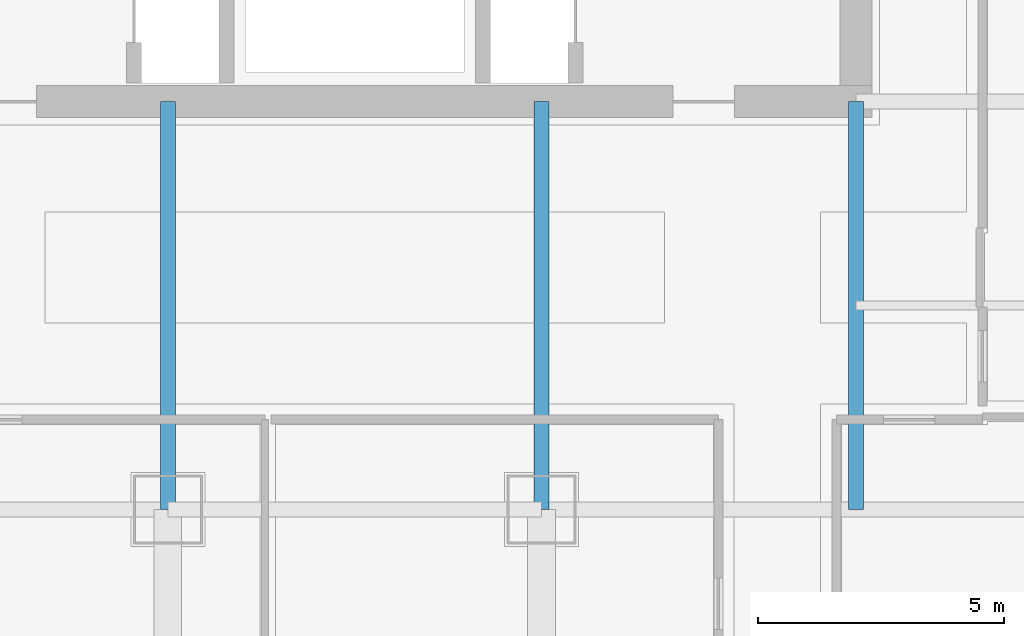
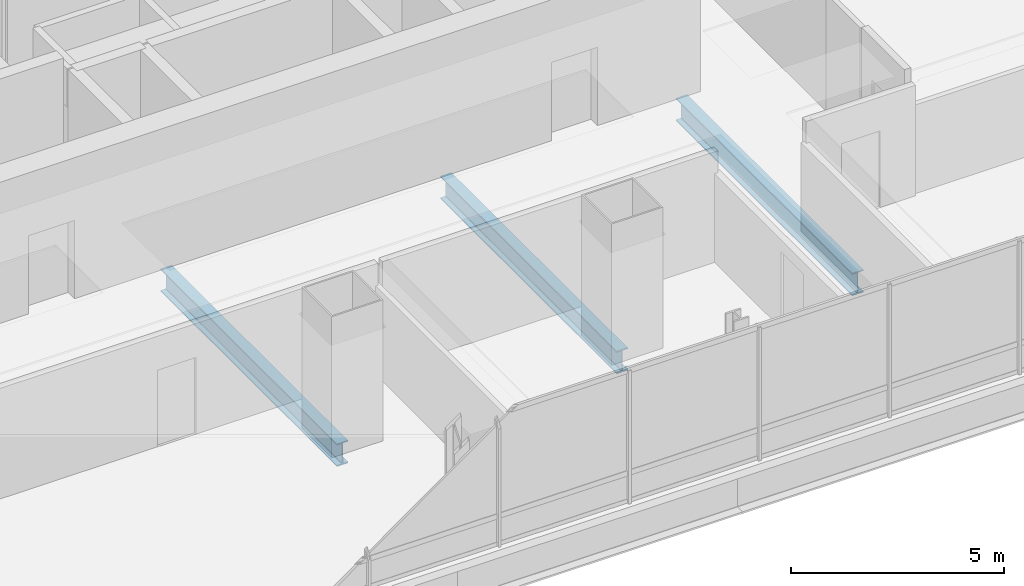
# One storey, part 8 of 36: 3 beams.
"""IFC4 building model written with IfcOpenShell, lengths in metres."""

import ifcopenshell
import ifcopenshell.guid

model = None  # the IFC model being written
_history = None  # IfcOwnerHistory: only IFC2X3 demands one
_inside = {}  # id of a spatial element -> (the spatial element, [elements in it])
_under = {}  # id of a project, library or spatial element -> (it, [spatial elements below it])
_declared = {}  # id of a project -> (the project, [libraries it declares])
_typed = {}  # id of a type object -> (the type object, [elements of that type])
_made_of = {}  # id of a material, layer set ... -> (it, [elements and type objects made of it])


def new_model(schema):
    """Start an empty IFC model of exactly this schema.

    Asked for "IFC4X3", IfcOpenShell would pick the latest addendum, in which some entities
    have other attributes; the version numbers below select the first issue.
    IFC2X3 requires an IfcOwnerHistory on every rooted entity: one is made here for all.
    """
    global model, _history
    if schema == "IFC4X3":
        model = ifcopenshell.file(schema_version=(4, 3, 0, 0))
    else:
        model = ifcopenshell.file(schema=schema)
    _inside.clear()
    _under.clear()
    _declared.clear()
    _typed.clear()
    _made_of.clear()
    _history = None
    if model.schema == "IFC2X3":
        org = make("IfcOrganization", Name="unknown")
        user = make(
            "IfcPersonAndOrganization",
            ThePerson=make("IfcPerson", FamilyName="unknown"),
            TheOrganization=org,
        )
        app = make(
            "IfcApplication",
            ApplicationDeveloper=org,
            Version="unknown",
            ApplicationFullName="unknown",
            ApplicationIdentifier="unknown",
        )
        _history = make(
            "IfcOwnerHistory",
            OwningUser=user,
            OwningApplication=app,
            ChangeAction="ADDED",
            CreationDate=0,
        )
    return model


def make(cls, **values):
    """One entity of the class cls with the attributes given. An attribute that is None is left unset."""
    return model.create_entity(
        cls, **{name: value for name, value in values.items() if value is not None}
    )


def rooted(cls, **values):
    """An entity with a GlobalId (a new one), such as an element, a storey or a relation."""
    return make(cls, GlobalId=ifcopenshell.guid.new(), OwnerHistory=_history, **values)


def si_unit(unit_type, name, prefix=None):
    """IfcSIUnit, for example si_unit("LENGTHUNIT", "METRE", prefix="MILLI")."""
    return make("IfcSIUnit", UnitType=unit_type, Prefix=prefix, Name=name)


def assignment(units):
    """IfcUnitAssignment: the units of a project."""
    return None if units is None else make("IfcUnitAssignment", Units=units)


def point(xyz):
    """IfcCartesianPoint."""
    return None if xyz is None else make("IfcCartesianPoint", Coordinates=xyz)


def direction(xyz):
    """IfcDirection."""
    return None if xyz is None else make("IfcDirection", DirectionRatios=xyz)


def frame(location, z_axis=None, x_axis=None):
    """IfcAxis2Placement3D, a coordinate frame: its origin and axes. An axis left out is left unset."""
    return make(
        "IfcAxis2Placement3D",
        Location=point(location),
        Axis=direction(z_axis),
        RefDirection=direction(x_axis),
    )


def frame_2d(location, x_axis=None):
    """IfcAxis2Placement2D, a coordinate frame in the plane: its origin and x axis."""
    return make(
        "IfcAxis2Placement2D", Location=point(location), RefDirection=direction(x_axis)
    )


def origin():
    """The frame at (0, 0, 0) with its axes left unset."""
    return frame((0.0, 0.0, 0.0))


def origin_2d():
    """The frame at (0, 0) in the plane with its x axis left unset."""
    return frame_2d((0.0, 0.0))


def place(relative_to, where):
    """IfcLocalPlacement: puts the frame where relative to a parent placement (None: the world)."""
    return make(
        "IfcLocalPlacement", PlacementRelTo=relative_to, RelativePlacement=where
    )


def context(
    kind, dimensions, precision=None, world=None, true_north=None, identifier=None
):
    """IfcGeometricRepresentationContext, for example the 3D "Model" context."""
    return make(
        "IfcGeometricRepresentationContext",
        ContextIdentifier=identifier,
        ContextType=kind,
        CoordinateSpaceDimension=dimensions,
        Precision=precision,
        WorldCoordinateSystem=world,
        TrueNorth=true_north,
    )


def subcontext(parent, identifier, kind, view, scale=None):
    """IfcGeometricRepresentationSubContext, for example "Body" below "Model"."""
    return make(
        "IfcGeometricRepresentationSubContext",
        ContextIdentifier=identifier,
        ContextType=kind,
        ParentContext=parent,
        TargetScale=scale,
        TargetView=view,
    )


def project(units=None, contexts=None):
    """IfcProject with its units and contexts."""
    return rooted(
        "IfcProject",
        Name="project",
        RepresentationContexts=contexts,
        UnitsInContext=assignment(units),
    )


def spatial(cls, under=None, at=None, **own):
    """A site, building, storey or space (cls), placed at a placement, below another one or the project."""
    s = rooted(cls, ObjectPlacement=at, **own)
    if under is not None:
        _under.setdefault(under.id(), (under, []))[1].append(s)
    return s


def profile(cls, at=None, kind="AREA", **sizes):
    """A parametric profile (cls). Its sizes go by their IFC names, for example OverallWidth=200.0."""
    return make(cls, ProfileType=kind, Position=at, **sizes)


def i_section(**sizes):
    """IfcIShapeProfileDef."""
    return profile("IfcIShapeProfileDef", **sizes)


def extrude(swept, where, along, depth):
    """IfcExtrudedAreaSolid: the profile swept, set in the frame where, extruded along a direction by depth."""
    return make(
        "IfcExtrudedAreaSolid",
        SweptArea=swept,
        Position=where,
        ExtrudedDirection=direction(along),
        Depth=depth,
    )


def shape(context_of_items, identifier, shape_type, items):
    """IfcShapeRepresentation: the items that make up one representation, for example the "Body"."""
    return make(
        "IfcShapeRepresentation",
        ContextOfItems=context_of_items,
        RepresentationIdentifier=identifier,
        RepresentationType=shape_type,
        Items=items,
    )


def material(Name=None, Category=None):
    """IfcMaterial."""
    return make("IfcMaterial", Name=Name, Category=Category)


def material_profile(
    of_material, cross_section, Name=None, Category=None, Priority=None
):
    """IfcMaterialProfile: a cross section and its material."""
    return make(
        "IfcMaterialProfile",
        Name=Name,
        Material=of_material,
        Profile=cross_section,
        Priority=Priority,
        Category=Category,
    )


def profile_set(profiles, Name=None, composite=None):
    """IfcMaterialProfileSet."""
    return make(
        "IfcMaterialProfileSet",
        Name=Name,
        MaterialProfiles=profiles,
        CompositeProfile=composite,
    )


def made_of(thing, what):
    """Note that an element or type object is made of a material, layer set ...; save() writes the relation."""
    if what is not None:
        _made_of.setdefault(what.id(), (what, []))[1].append(thing)
    return thing


def type_object(cls, material=None, **own):
    """A type object (cls), such as IfcWallType, which elements share."""
    return made_of(rooted(cls, **own), material)


def element(
    cls,
    number,
    at=None,
    inside=None,
    cuts=None,
    type_object=None,
    material=None,
    context=None,
    identifier="Body",
    shape_type=None,
    held_by="IfcProductDefinitionShape",
    body=None,
    shapes=None,
    **own,
):
    """One element of the class cls, such as IfcWall. Its Tag is "e" and its number.

    at: its placement. inside: the storey or other place that contains it. cuts: it is an
    opening in that element (IfcRelVoidsElement). A single representation is given by context,
    identifier, shape_type and body (its items); several are given by shapes. held_by: the class
    of the entity that holds the representations. save() writes the other relations.
    """
    e = rooted(cls, Tag="e%d" % number, ObjectPlacement=at, **own)
    if body is not None:
        shapes = [shape(context, identifier, shape_type, body)]
    if shapes is not None:
        e.Representation = make(held_by, Representations=shapes)
    if inside is not None:
        _inside.setdefault(inside.id(), (inside, []))[1].append(e)
    if cuts is not None:
        rooted(
            "IfcRelVoidsElement", RelatingBuildingElement=cuts, RelatedOpeningElement=e
        )
    if type_object is not None:
        _typed.setdefault(type_object.id(), (type_object, []))[1].append(e)
    return made_of(e, material)


def aggregate(whole, parts):
    """IfcRelAggregates: a whole, such as a stair, and the parts it consists of."""
    return rooted("IfcRelAggregates", RelatingObject=whole, RelatedObjects=parts)


def save(model, path):
    """Write the relations noted so far, then the file.

    IfcRelAggregates (storeys below a building ...), IfcRelContainedInSpatialStructure (elements
    in a storey), IfcRelDefinesByType, IfcRelAssociatesMaterial and IfcRelDeclares: one each for
    every whole, place, type object, material and project.
    """
    for whole, parts in _under.values():
        aggregate(whole, parts)
    for where, things in _inside.values():
        rooted(
            "IfcRelContainedInSpatialStructure",
            RelatedElements=things,
            RelatingStructure=where,
        )
    for kind, things in _typed.values():
        rooted("IfcRelDefinesByType", RelatedObjects=things, RelatingType=kind)
    for what, things in _made_of.values():
        rooted("IfcRelAssociatesMaterial", RelatedObjects=things, RelatingMaterial=what)
    for by, libraries in _declared.values():
        rooted("IfcRelDeclares", RelatingContext=by, RelatedDefinitions=libraries)
    model.write(path)


model = new_model("IFC4")

# Units and contexts
model_context = context("Model", 3, precision=1e-05, world=origin(), true_north=direction((0.0, 1.0)))
body_context = subcontext(model_context, "Body", "Model", "MODEL_VIEW")
ifc_project = project(units=[si_unit("LENGTHUNIT", "METRE"), si_unit("AREAUNIT", "SQUARE_METRE"), si_unit("VOLUMEUNIT", "CUBIC_METRE"), si_unit("PLANEANGLEUNIT", "RADIAN"), si_unit("MASSUNIT", "GRAM", prefix="KILO")], contexts=[model_context])

# Site, building, storey
site_placement = place(None, origin())
site = spatial("IfcSite", under=ifc_project, at=site_placement, CompositionType="ELEMENT")
building_placement = place(site_placement, origin())
building = spatial("IfcBuilding", under=site, at=building_placement, Name="Punatoya Terracotta Tower", CompositionType="ELEMENT")
storey_placement = place(building_placement, frame((0.0, 0.0, 208.64990234375)))
storey = spatial("IfcBuildingStorey", under=building, at=storey_placement, Name="L49", CompositionType="ELEMENT", Elevation=208.64990234375)

# Beams
ifc_material = material(Name="Steel S355", Category="steel")
ifc_material_profile = material_profile(ifc_material, i_section(OverallWidth=0.300048828125, OverallDepth=0.64990234375, WebThickness=0.01611328125, FlangeThickness=0.031005859375, FilletRadius=0.01806640625, at=origin_2d()))
ifc_profile_set = profile_set([ifc_material_profile], Name="Steel S355")
beam_type = type_object("IfcBeamType", Name="BM-PRI-650", PredefinedType="BEAM", material=ifc_profile_set)
for number, where, z_axis, x_axis, name in (
    (1, (-3.800048828125, -17.5, -0.544921875), (0.0, 1.0, 0.0), (-1.0, 0.0, 0.0), "BM-L49-PR-S2"),
    (2, (3.800048828125, -17.5, -0.544921875), (0.0, 1.0, 0.0), (-1.0, 0.0, 0.0), "BM-L49-PR-S3"),
    (3, (10.199951171875, -17.5, -0.544921875), (0.0, 1.0, 0.0), (-1.0, 0.0, 0.0), "BM-L49-PR-S4"),
):
    element("IfcBeam", number, at=place(storey_placement, frame(where, z_axis=z_axis, x_axis=x_axis)), inside=storey, type_object=beam_type, Name=name, PredefinedType="BEAM", context=body_context, shape_type="SweptSolid", body=[
        extrude(i_section(OverallWidth=0.300048828125, OverallDepth=0.64990234375, WebThickness=0.01611328125, FlangeThickness=0.031005859375, FilletRadius=0.01806640625, at=origin_2d()), origin(), (0.0, 0.0, 1.0), 8.300048828125),
    ])

save(model, "model.ifc")
